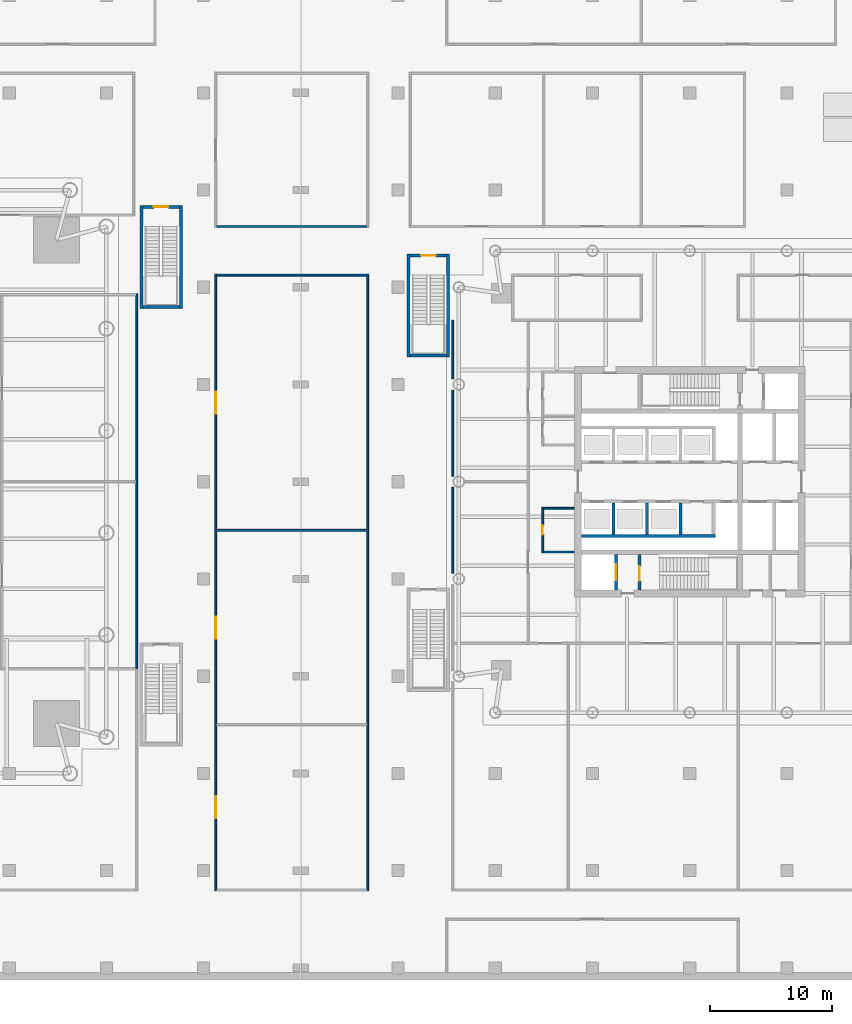
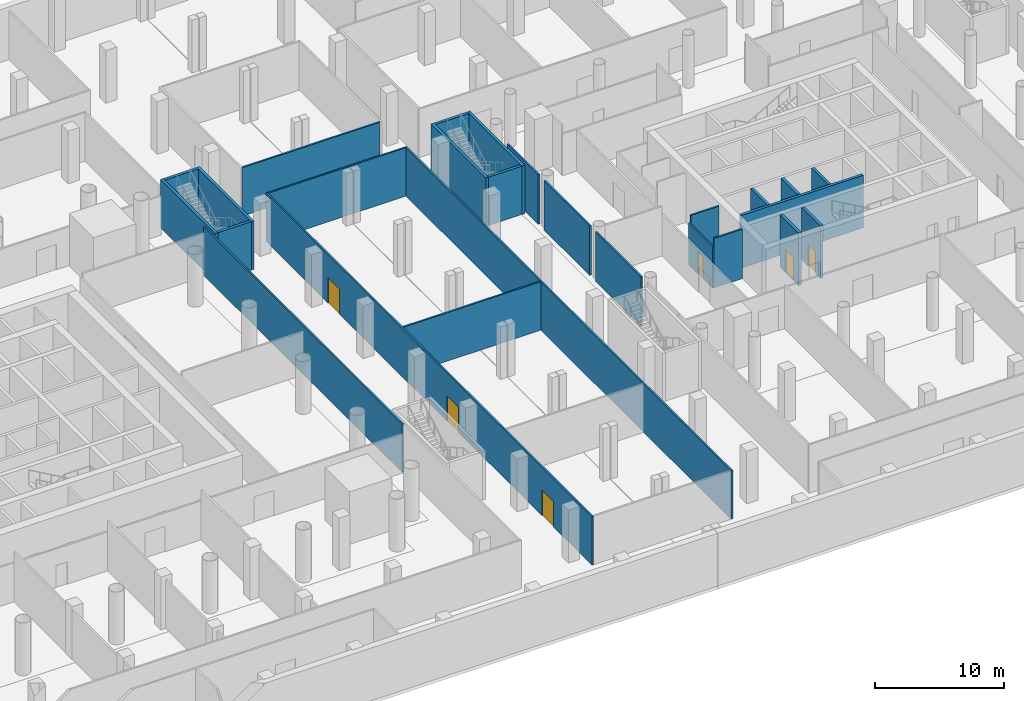
# One storey, part 12 of 22: 26 walls, 8 doors, 8 openings.
"""IFC4 building model written with IfcOpenShell, lengths in metres."""

from ifc_helpers import new_model, si_unit, direction, frame, frame_2d, origin, place, context, subcontext, project, spatial, rectangle, extrude, material, layer, layer_set, type_object, element, fill, save


model = new_model("IFC4")

# Units and contexts
model_context = context("Model", 3, precision=1e-05, world=origin(), true_north=direction((0.0, 1.0)))
body_context = subcontext(model_context, "Body", "Model", "MODEL_VIEW")
ifc_project = project(units=[si_unit("LENGTHUNIT", "METRE"), si_unit("AREAUNIT", "SQUARE_METRE"), si_unit("VOLUMEUNIT", "CUBIC_METRE"), si_unit("PLANEANGLEUNIT", "RADIAN"), si_unit("MASSUNIT", "GRAM", prefix="KILO")], contexts=[model_context])

# Site, building, storey
site_placement = place(None, origin())
site = spatial("IfcSite", under=ifc_project, at=site_placement, CompositionType="ELEMENT")
building_placement = place(site_placement, origin())
building = spatial("IfcBuilding", under=site, at=building_placement, Name="Ostroluk Exchange", CompositionType="ELEMENT")
storey_placement = place(building_placement, frame((0.0, 0.0, -5.0)))
storey = spatial("IfcBuildingStorey", under=building, at=storey_placement, Name="B1", CompositionType="ELEMENT", Elevation=-5.0)

# Walls
ifc_material_1 = material(Name="Concrete blockwork", Category="masonry")
ifc_layer_1 = layer(ifc_material_1, 0.25)
ifc_layer_set_1 = layer_set([ifc_layer_1], Name="Blockwork stair enclosure wall 250")
wall_type_1 = type_object("IfcWallType", Name="Blockwork stair enclosure wall 250", PredefinedType="SOLIDWALL", material=ifc_layer_set_1)
for number, where, z_axis, x_axis, name in (
    (1, (71.875, 60.25, 0.0), (0.0, 0.0, 1.0), (0.0, 1.0, 0.0), "Stair PS4 enclosure wall"),
    (2, (75.125, 60.25, 0.0), (0.0, 0.0, 1.0), (0.0, 1.0, 0.0), "Stair PS4 enclosure wall"),
):
    element("IfcWall", number, at=place(storey_placement, frame(where, z_axis=z_axis, x_axis=x_axis)), inside=storey, type_object=wall_type_1, Name=name, PredefinedType="SOLIDWALL", context=body_context, shape_type="SweptSolid", body=[
        extrude(rectangle(XDim=8.5, YDim=0.25, at=frame_2d((4.25, 0.0))), origin(), (0.0, 0.0, 1.0), 4.60009765625),
    ])
wall_1_placement = place(storey_placement, frame((72.0, 60.375, 0.0), z_axis=(0.0, 0.0, 1.0), x_axis=(1.0, 0.0, 0.0)))
element("IfcWall", 3, at=wall_1_placement, inside=storey, type_object=wall_type_1, Name="Stair PS4 enclosure wall", PredefinedType="SOLIDWALL", context=body_context, shape_type="SweptSolid", body=[
    extrude(rectangle(XDim=3.0, YDim=0.25, at=frame_2d((1.5, 0.0))), origin(), (0.0, 0.0, 1.0), 4.60009765625),
])

# Wall, opening, door
wall_2_placement = place(storey_placement, frame((72.0, 68.625, 0.0), z_axis=(0.0, 0.0, 1.0), x_axis=(1.0, 0.0, 0.0)))
wall_2 = element("IfcWall", 4, at=wall_2_placement, inside=storey, type_object=wall_type_1, Name="Stair PS4 enclosure wall", PredefinedType="SOLIDWALL", context=body_context, shape_type="SweptSolid", body=[
    extrude(rectangle(XDim=3.0, YDim=0.25, at=frame_2d((1.5, 0.0))), origin(), (0.0, 0.0, 1.0), 4.60009765625),
])
opening_1_placement = place(wall_2_placement, frame((0.89990234375, 0.0, 0.0)))
opening_1 = element("IfcOpeningElement", 5, at=opening_1_placement, cuts=wall_2, Name="Opening FD60S", PredefinedType="OPENING", context=body_context, shape_type="SweptSolid", body=[
    extrude(rectangle(XDim=1.199951171875, YDim=2.10009765625, at=frame_2d((0.60009765625, 1.050048828125))), frame((0.0, 0.135009765625, 0.0), z_axis=(0.0, -1.0, 0.0), x_axis=(1.0, 0.0, 0.0)), (0.0, 0.0, 1.0), 0.27001953125),
])
ifc_material_2 = material(Name="Steel", Category="steel")
door_type_1 = type_object("IfcDoorType", Name="Stair door EI 60 1200 x 2100", OperationType="SINGLE_SWING_LEFT", PredefinedType="DOOR", material=ifc_material_2)
door_1_placement = place(opening_1_placement, origin())
door_1 = element("IfcDoor", 6, at=door_1_placement, inside=storey, type_object=door_type_1, Name="Stair PS4 door", OperationType="SINGLE_SWING_LEFT", OverallHeight=2.10009765625, OverallWidth=1.199951171875, PredefinedType="DOOR", context=body_context, shape_type="SweptSolid", body=[
    extrude(rectangle(XDim=1.199951171875, YDim=2.10009765625, at=frame_2d((0.60009765625, 1.050048828125))), frame((0.0, 0.02490234375, 0.0), z_axis=(0.0, -1.0, 0.0), x_axis=(1.0, 0.0, 0.0)), (0.0, 0.0, 1.0), 0.050048828125),
])
fill(opening_1, door_1)

# Walls
for number, where, z_axis, x_axis, name in (
    (7, (93.875, 56.25, 0.0), (0.0, 0.0, 1.0), (0.0, 1.0, 0.0), "Stair PS6 enclosure wall"),
    (8, (97.125, 56.25, 0.0), (0.0, 0.0, 1.0), (0.0, 1.0, 0.0), "Stair PS6 enclosure wall"),
):
    element("IfcWall", number, at=place(storey_placement, frame(where, z_axis=z_axis, x_axis=x_axis)), inside=storey, type_object=wall_type_1, Name=name, PredefinedType="SOLIDWALL", context=body_context, shape_type="SweptSolid", body=[
        extrude(rectangle(XDim=8.5, YDim=0.25, at=frame_2d((4.25, 0.0))), origin(), (0.0, 0.0, 1.0), 4.60009765625),
    ])
wall_3_placement = place(storey_placement, frame((94.0, 56.375, 0.0), z_axis=(0.0, 0.0, 1.0), x_axis=(1.0, 0.0, 0.0)))
element("IfcWall", 9, at=wall_3_placement, inside=storey, type_object=wall_type_1, Name="Stair PS6 enclosure wall", PredefinedType="SOLIDWALL", context=body_context, shape_type="SweptSolid", body=[
    extrude(rectangle(XDim=3.0, YDim=0.25, at=frame_2d((1.5, 0.0))), origin(), (0.0, 0.0, 1.0), 4.60009765625),
])

# Wall, opening, door
wall_4_placement = place(storey_placement, frame((94.0, 64.625, 0.0), z_axis=(0.0, 0.0, 1.0), x_axis=(1.0, 0.0, 0.0)))
wall_4 = element("IfcWall", 10, at=wall_4_placement, inside=storey, type_object=wall_type_1, Name="Stair PS6 enclosure wall", PredefinedType="SOLIDWALL", context=body_context, shape_type="SweptSolid", body=[
    extrude(rectangle(XDim=3.0, YDim=0.25, at=frame_2d((1.5, 0.0))), origin(), (0.0, 0.0, 1.0), 4.60009765625),
])
opening_2_placement = place(wall_4_placement, frame((0.89990234375, 0.0, 0.0)))
opening_2 = element("IfcOpeningElement", 11, at=opening_2_placement, cuts=wall_4, Name="Opening FD60S", PredefinedType="OPENING", context=body_context, shape_type="SweptSolid", body=[
    extrude(rectangle(XDim=1.199951171875, YDim=2.10009765625, at=frame_2d((0.60009765625, 1.050048828125))), frame((0.0, 0.135009765625, 0.0), z_axis=(0.0, -1.0, 0.0), x_axis=(1.0, 0.0, 0.0)), (0.0, 0.0, 1.0), 0.27001953125),
])
door_2_placement = place(opening_2_placement, origin())
door_2 = element("IfcDoor", 12, at=door_2_placement, inside=storey, type_object=door_type_1, Name="Stair PS6 door", OperationType="SINGLE_SWING_LEFT", OverallHeight=2.10009765625, OverallWidth=1.199951171875, PredefinedType="DOOR", context=body_context, shape_type="SweptSolid", body=[
    extrude(rectangle(XDim=1.199951171875, YDim=2.10009765625, at=frame_2d((0.60009765625, 1.050048828125))), frame((0.0, 0.02490234375, 0.0), z_axis=(0.0, -1.0, 0.0), x_axis=(1.0, 0.0, 0.0)), (0.0, 0.0, 1.0), 0.050048828125),
])
fill(opening_2, door_2)

ifc_material_3 = material(Name="Concrete C40/50", Category="concrete")
ifc_layer_2 = layer(ifc_material_3, 0.25)
ifc_layer_set_2 = layer_set([ifc_layer_2], Name="Core shaft wall 250")
wall_type_2 = type_object("IfcWallType", Name="Core shaft wall 250", PredefinedType="SHEAR", material=ifc_layer_set_2)
wall_5_placement = place(storey_placement, frame((110.925048828125, 37.10009765625, 0.0), z_axis=(0.0, 0.0, 1.0), x_axis=(0.0, 1.0, 0.0)))
wall_5 = element("IfcWall", 13, at=wall_5_placement, inside=storey, type_object=wall_type_2, Name="Firefighting lift shaft wall", PredefinedType="SHEAR", context=body_context, shape_type="SweptSolid", body=[
    extrude(rectangle(XDim=2.89990234375, YDim=0.25, at=frame_2d((1.449951171875, 0.0))), origin(), (0.0, 0.0, 1.0), 5.0),
])
opening_3_placement = place(wall_5_placement, frame((0.800048828125, 0.0, 0.0)))
opening_3 = element("IfcOpeningElement", 14, at=opening_3_placement, cuts=wall_5, Name="Opening LD2", PredefinedType="OPENING", context=body_context, shape_type="SweptSolid", body=[
    extrude(rectangle(XDim=1.300048828125, YDim=2.199951171875, at=frame_2d((0.64990234375, 1.10009765625))), frame((0.0, 0.135009765625, 0.0), z_axis=(0.0, -1.0, 0.0), x_axis=(1.0, 0.0, 0.0)), (0.0, 0.0, 1.0), 0.27001953125),
])
ifc_material_4 = material(Name="Stainless steel", Category="steel")
door_type_2 = type_object("IfcDoorType", Name="Lift landing door E 60 1300 x 2200", OperationType="DOUBLE_DOOR_SLIDING", PredefinedType="DOOR", material=ifc_material_4)
door_3_placement = place(opening_3_placement, origin())
door_3 = element("IfcDoor", 15, at=door_3_placement, inside=storey, type_object=door_type_2, Name="Lift HF1 landing door", OperationType="DOUBLE_DOOR_SLIDING", OverallHeight=2.199951171875, OverallWidth=1.300048828125, PredefinedType="DOOR", context=body_context, shape_type="SweptSolid", body=[
    extrude(rectangle(XDim=1.300048828125, YDim=2.199951171875, at=frame_2d((0.64990234375, 1.10009765625))), frame((0.0, 0.02490234375, 0.0), z_axis=(0.0, -1.0, 0.0), x_axis=(1.0, 0.0, 0.0)), (0.0, 0.0, 1.0), 0.050048828125),
])
fill(opening_3, door_3)

wall_6_placement = place(storey_placement, frame((112.875, 37.10009765625, 0.0), z_axis=(0.0, 0.0, 1.0), x_axis=(0.0, 1.0, 0.0)))
wall_6 = element("IfcWall", 16, at=wall_6_placement, inside=storey, type_object=wall_type_2, Name="Stair shaft wall", PredefinedType="SHEAR", context=body_context, shape_type="SweptSolid", body=[
    extrude(rectangle(XDim=2.89990234375, YDim=0.25, at=frame_2d((1.449951171875, 0.0))), origin(), (0.0, 0.0, 1.0), 5.0),
])
opening_4_placement = place(wall_6_placement, frame((0.75, 0.0, 0.0)))
opening_4 = element("IfcOpeningElement", 17, at=opening_4_placement, cuts=wall_6, Name="Opening FD60S", PredefinedType="OPENING", context=body_context, shape_type="SweptSolid", body=[
    extrude(rectangle(XDim=1.199951171875, YDim=2.10009765625, at=frame_2d((0.60009765625, 1.050048828125))), frame((0.0, 0.135009765625, 0.0), z_axis=(0.0, -1.0, 0.0), x_axis=(1.0, 0.0, 0.0)), (0.0, 0.0, 1.0), 0.27001953125),
])
door_4_placement = place(opening_4_placement, origin())
door_4 = element("IfcDoor", 18, at=door_4_placement, inside=storey, type_object=door_type_1, Name="Stair T2-S1 door", OperationType="SINGLE_SWING_LEFT", OverallHeight=2.10009765625, OverallWidth=1.199951171875, PredefinedType="DOOR", context=body_context, shape_type="SweptSolid", body=[
    extrude(rectangle(XDim=1.199951171875, YDim=2.10009765625, at=frame_2d((0.60009765625, 1.050048828125))), frame((0.0, 0.02490234375, 0.0), z_axis=(0.0, -1.0, 0.0), x_axis=(1.0, 0.0, 0.0)), (0.0, 0.0, 1.0), 0.050048828125),
])
fill(opening_4, door_4)

# Walls
for number, where, z_axis, x_axis, name in (
    (19, (110.72509765625, 44.25, 0.0), (0.0, 0.0, 1.0), (0.0, -1.0, 0.0), "Lift shaft wall"),
    (20, (113.47509765625, 44.25, 0.0), (0.0, 0.0, 1.0), (0.0, -1.0, 0.0), "Lift shaft wall"),
    (21, (116.22509765625, 44.25, 0.0), (0.0, 0.0, 1.0), (0.0, -1.0, 0.0), "Lift shaft wall"),
):
    element("IfcWall", number, at=place(storey_placement, frame(where, z_axis=z_axis, x_axis=x_axis)), inside=storey, type_object=wall_type_2, Name=name, PredefinedType="SHEAR", context=body_context, shape_type="SweptSolid", body=[
        extrude(rectangle(XDim=2.60009765625, YDim=0.25, at=frame_2d((1.300048828125, 0.0))), origin(), (0.0, 0.0, 1.0), 5.0),
    ])
wall_7_placement = place(storey_placement, frame((108.10009765625, 41.52490234375, 0.0), z_axis=(0.0, 0.0, 1.0), x_axis=(1.0, 0.0, 0.0)))
element("IfcWall", 22, at=wall_7_placement, inside=storey, type_object=wall_type_2, Name="Lift shaft wall", PredefinedType="SHEAR", context=body_context, shape_type="SweptSolid", body=[
    extrude(rectangle(XDim=11.0, YDim=0.25, at=frame_2d((5.5, 0.0))), origin(), (0.0, 0.0, 1.0), 5.0),
])
ifc_material_5 = material(Name="Gypsum plasterboard partition", Category="gypsum")
ifc_layer_3 = layer(ifc_material_5, 0.14990234375)
ifc_layer_set_3 = layer_set([ifc_layer_3], Name="Plasterboard partition 150")
wall_type_3 = type_object("IfcWallType", Name="Plasterboard partition 150", PredefinedType="PARTITIONING", material=ifc_layer_set_3)
wall_8_placement = place(storey_placement, frame((71.5, 30.60009765625, 0.0), z_axis=(0.0, 0.0, 1.0), x_axis=(0.0, 1.0, 0.0)))
element("IfcWall", 23, at=wall_8_placement, inside=storey, type_object=wall_type_3, Name="Partition", PredefinedType="PARTITIONING", context=body_context, shape_type="SweptSolid", body=[
    extrude(rectangle(XDim=30.875, YDim=0.14990234375, at=frame_2d((15.4375, 0.0))), origin(), (0.0, 0.0, 1.0), 4.60009765625),
])

# Wall, openings, doors
wall_9_placement = place(storey_placement, frame((78.0, 12.324951171875, 0.0), z_axis=(0.0, 0.0, 1.0), x_axis=(0.0, 1.0, 0.0)))
wall_9 = element("IfcWall", 24, at=wall_9_placement, inside=storey, type_object=wall_type_3, Name="Partition", PredefinedType="PARTITIONING", context=body_context, shape_type="SweptSolid", body=[
    extrude(rectangle(XDim=50.75, YDim=0.14990234375, at=frame_2d((25.375, 0.0))), origin(), (0.0, 0.0, 1.0), 4.60009765625),
])
opening_5_placement = place(wall_9_placement, frame((5.97509765625, 0.0, 0.0)))
opening_5 = element("IfcOpeningElement", 25, at=opening_5_placement, cuts=wall_9, Name="Opening D-04", PredefinedType="OPENING", context=body_context, shape_type="SweptSolid", body=[
    extrude(rectangle(XDim=1.800048828125, YDim=2.39990234375, at=frame_2d((0.89990234375, 1.199951171875))), frame((0.0, 0.0849609375, 0.0), z_axis=(0.0, -1.0, 0.0), x_axis=(1.0, 0.0, 0.0)), (0.0, 0.0, 1.0), 0.169921875),
])
opening_6_placement = place(wall_9_placement, frame((20.77490234375, 0.0, 0.0)))
opening_6 = element("IfcOpeningElement", 26, at=opening_6_placement, cuts=wall_9, Name="Opening D-04", PredefinedType="OPENING", context=body_context, shape_type="SweptSolid", body=[
    extrude(rectangle(XDim=1.800048828125, YDim=2.39990234375, at=frame_2d((0.89990234375, 1.199951171875))), frame((0.0, 0.0849609375, 0.0), z_axis=(0.0, -1.0, 0.0), x_axis=(1.0, 0.0, 0.0)), (0.0, 0.0, 1.0), 0.169921875),
])
opening_7_placement = place(wall_9_placement, frame((39.27490234375, 0.0, 0.0)))
opening_7 = element("IfcOpeningElement", 27, at=opening_7_placement, cuts=wall_9, Name="Opening D-04", PredefinedType="OPENING", context=body_context, shape_type="SweptSolid", body=[
    extrude(rectangle(XDim=1.800048828125, YDim=2.39990234375, at=frame_2d((0.89990234375, 1.199951171875))), frame((0.0, 0.0849609375, 0.0), z_axis=(0.0, -1.0, 0.0), x_axis=(1.0, 0.0, 0.0)), (0.0, 0.0, 1.0), 0.169921875),
])
ifc_material_6 = material(Name="Timber", Category="wood")
door_type_3 = type_object("IfcDoorType", Name="Double door 1800 x 2400", OperationType="DOUBLE_DOOR_SINGLE_SWING", PredefinedType="DOOR", material=ifc_material_6)
door_5_placement = place(opening_5_placement, origin())
door_5 = element("IfcDoor", 28, at=door_5_placement, inside=storey, type_object=door_type_3, Name="Station office door", OperationType="DOUBLE_DOOR_SINGLE_SWING", OverallHeight=2.39990234375, OverallWidth=1.800048828125, PredefinedType="DOOR", context=body_context, shape_type="SweptSolid", body=[
    extrude(rectangle(XDim=1.800048828125, YDim=2.39990234375, at=frame_2d((0.89990234375, 1.199951171875))), frame((0.0, 0.02490234375, 0.0), z_axis=(0.0, -1.0, 0.0), x_axis=(1.0, 0.0, 0.0)), (0.0, 0.0, 1.0), 0.050048828125),
])
fill(opening_5, door_5)
door_6_placement = place(opening_6_placement, origin())
door_6 = element("IfcDoor", 29, at=door_6_placement, inside=storey, type_object=door_type_3, Name="Customer service office door", OperationType="DOUBLE_DOOR_SINGLE_SWING", OverallHeight=2.39990234375, OverallWidth=1.800048828125, PredefinedType="DOOR", context=body_context, shape_type="SweptSolid", body=[
    extrude(rectangle(XDim=1.800048828125, YDim=2.39990234375, at=frame_2d((0.89990234375, 1.199951171875))), frame((0.0, 0.02490234375, 0.0), z_axis=(0.0, -1.0, 0.0), x_axis=(1.0, 0.0, 0.0)), (0.0, 0.0, 1.0), 0.050048828125),
])
fill(opening_6, door_6)
door_7_placement = place(opening_7_placement, origin())
door_7 = element("IfcDoor", 30, at=door_7_placement, inside=storey, type_object=door_type_3, Name="Ticket office door", OperationType="DOUBLE_DOOR_SINGLE_SWING", OverallHeight=2.39990234375, OverallWidth=1.800048828125, PredefinedType="DOOR", context=body_context, shape_type="SweptSolid", body=[
    extrude(rectangle(XDim=1.800048828125, YDim=2.39990234375, at=frame_2d((0.89990234375, 1.199951171875))), frame((0.0, 0.02490234375, 0.0), z_axis=(0.0, -1.0, 0.0), x_axis=(1.0, 0.0, 0.0)), (0.0, 0.0, 1.0), 0.050048828125),
])
fill(opening_7, door_7)

# Walls
wall_10_placement = place(storey_placement, frame((90.5, 12.324951171875, 0.0), z_axis=(0.0, 0.0, 1.0), x_axis=(0.0, 1.0, 0.0)))
element("IfcWall", 31, at=wall_10_placement, inside=storey, type_object=wall_type_3, Name="Partition", PredefinedType="PARTITIONING", context=body_context, shape_type="SweptSolid", body=[
    extrude(rectangle(XDim=50.75, YDim=0.14990234375, at=frame_2d((25.375, 0.0))), origin(), (0.0, 0.0, 1.0), 4.60009765625),
])
for number, where, z_axis, x_axis, name in (
    (32, (78.074951171875, 63.0, 0.0), (0.0, 0.0, 1.0), (1.0, 0.0, 0.0), "Partition"),
    (33, (78.074951171875, 42.0, 0.0), (0.0, 0.0, 1.0), (1.0, 0.0, 0.0), "Partition"),
    (34, (78.074951171875, 67.0, 0.0), (0.0, 0.0, 1.0), (1.0, 0.0, 0.0), "Partition"),
):
    element("IfcWall", number, at=place(storey_placement, frame(where, z_axis=z_axis, x_axis=x_axis)), inside=storey, type_object=wall_type_3, Name=name, PredefinedType="PARTITIONING", context=body_context, shape_type="SweptSolid", body=[
        extrude(rectangle(XDim=12.35009765625, YDim=0.14990234375, at=frame_2d((6.175048828125, 0.0))), origin(), (0.0, 0.0, 1.0), 4.60009765625),
    ])
for number, where, z_axis, x_axis, name in (
    (35, (97.5, 38.45703125, 0.0), (0.0, 0.0, 1.0), (0.0, 1.0, 0.0), "Partition"),
    (36, (97.5, 46.45703125, 0.0), (0.0, 0.0, 1.0), (0.0, 1.0, 0.0), "Partition"),
):
    element("IfcWall", number, at=place(storey_placement, frame(where, z_axis=z_axis, x_axis=x_axis)), inside=storey, type_object=wall_type_3, Name=name, PredefinedType="PARTITIONING", context=body_context, shape_type="SweptSolid", body=[
        extrude(rectangle(XDim=7.0859375, YDim=0.14990234375, at=frame_2d((3.54296875, 0.0))), origin(), (0.0, 0.0, 1.0), 4.699951171875),
    ])
wall_11_placement = place(storey_placement, frame((97.5, 54.45703125, 0.0), z_axis=(0.0, 0.0, 1.0), x_axis=(0.0, 1.0, 0.0)))
element("IfcWall", 37, at=wall_11_placement, inside=storey, type_object=wall_type_3, Name="Partition", PredefinedType="PARTITIONING", context=body_context, shape_type="SweptSolid", body=[
    extrude(rectangle(XDim=4.843017578125, YDim=0.14990234375, at=frame_2d((2.42138671875, 0.0))), origin(), (0.0, 0.0, 1.0), 4.699951171875),
])

# Wall, opening, door
ifc_material_7 = material(Name="Gypsum plasterboard partition, moisture resistant", Category="gypsum")
ifc_layer_4 = layer(ifc_material_7, 0.14990234375)
ifc_layer_set_4 = layer_set([ifc_layer_4], Name="Plasterboard toilet partition 150")
wall_type_4 = type_object("IfcWallType", Name="Plasterboard toilet partition 150", PredefinedType="PARTITIONING", material=ifc_layer_set_4)
wall_12_placement = place(storey_placement, frame((104.89990234375, 43.89990234375, 0.0), z_axis=(0.0, 0.0, 1.0), x_axis=(0.0, -1.0, 0.0)))
wall_12 = element("IfcWall", 38, at=wall_12_placement, inside=storey, type_object=wall_type_4, Name="Toilet partition", PredefinedType="PARTITIONING", context=body_context, shape_type="SweptSolid", body=[
    extrude(rectangle(XDim=3.75, YDim=0.14990234375, at=frame_2d((1.875, 0.0))), origin(), (0.0, 0.0, 1.0), 3.947021484375),
])
opening_8_placement = place(wall_12_placement, frame((1.47509765625, 0.0, 0.0)))
opening_8 = element("IfcOpeningElement", 39, at=opening_8_placement, cuts=wall_12, Name="Opening D-06", PredefinedType="OPENING", context=body_context, shape_type="SweptSolid", body=[
    extrude(rectangle(XDim=0.800048828125, YDim=2.10009765625, at=frame_2d((0.39990234375, 1.050048828125))), frame((0.0, 0.0849609375, 0.0), z_axis=(0.0, -1.0, 0.0), x_axis=(1.0, 0.0, 0.0)), (0.0, 0.0, 1.0), 0.169921875),
])
ifc_material_8 = material(Name="Timber", Category="wood")
door_type_4 = type_object("IfcDoorType", Name="Toilet door 800 x 2100", OperationType="SINGLE_SWING_LEFT", PredefinedType="DOOR", material=ifc_material_8)
door_8_placement = place(opening_8_placement, origin())
door_8 = element("IfcDoor", 40, at=door_8_placement, inside=storey, type_object=door_type_4, Name="WC male door", OperationType="SINGLE_SWING_RIGHT", OverallHeight=2.10009765625, OverallWidth=0.800048828125, PredefinedType="DOOR", context=body_context, shape_type="SweptSolid", body=[
    extrude(rectangle(XDim=0.800048828125, YDim=2.10009765625, at=frame_2d((0.39990234375, 1.050048828125))), frame((0.0, 0.02490234375, 0.0), z_axis=(0.0, -1.0, 0.0), x_axis=(1.0, 0.0, 0.0)), (0.0, 0.0, 1.0), 0.050048828125),
])
fill(opening_8, door_8)

# Walls
for number, where, z_axis, x_axis, name in (
    (41, (104.97509765625, 43.824951171875, 0.0), (0.0, 0.0, 1.0), (1.0, 0.0, 0.0), "Toilet partition"),
    (42, (104.97509765625, 40.22509765625, 0.0), (0.0, 0.0, 1.0), (1.0, 0.0, 0.0), "Toilet partition"),
):
    element("IfcWall", number, at=place(storey_placement, frame(where, z_axis=z_axis, x_axis=x_axis)), inside=storey, type_object=wall_type_4, Name=name, PredefinedType="PARTITIONING", context=body_context, shape_type="SweptSolid", body=[
        extrude(rectangle(XDim=2.52490234375, YDim=0.14990234375, at=frame_2d((1.262451171875, 0.0))), origin(), (0.0, 0.0, 1.0), 4.699951171875),
    ])

save(model, "model.ifc")
